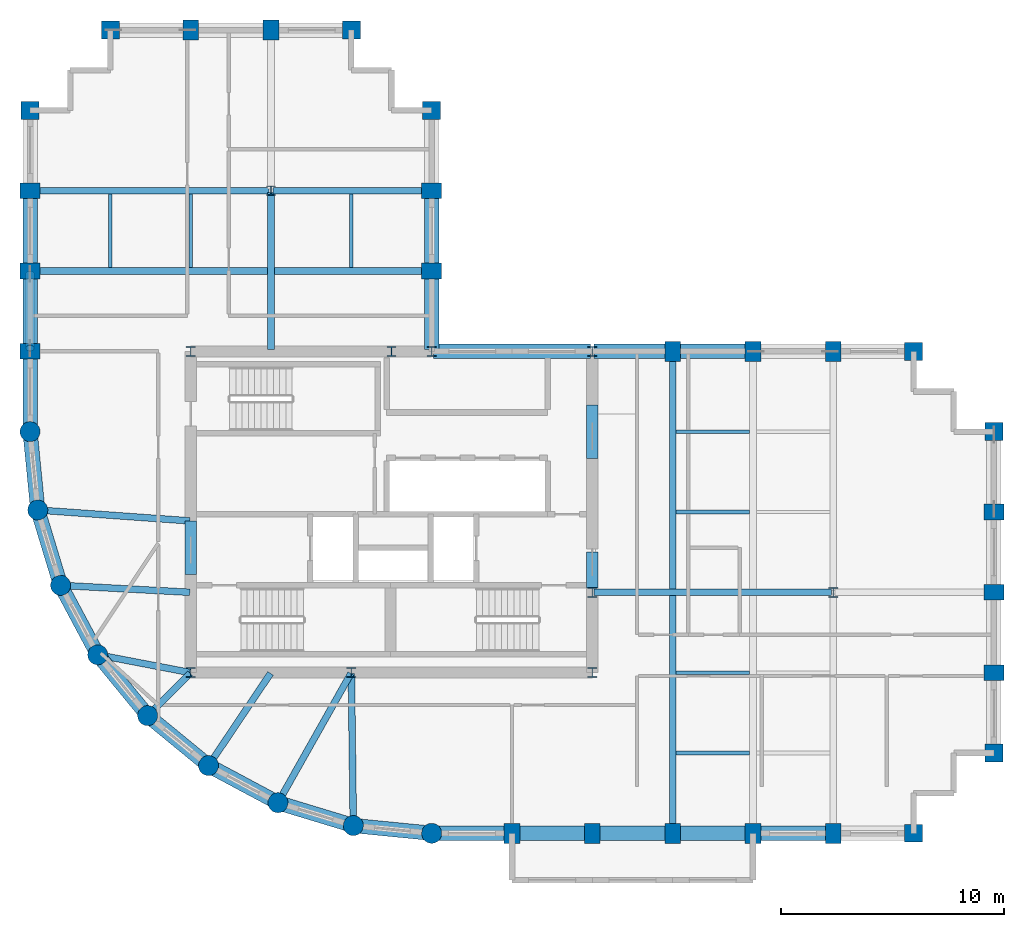
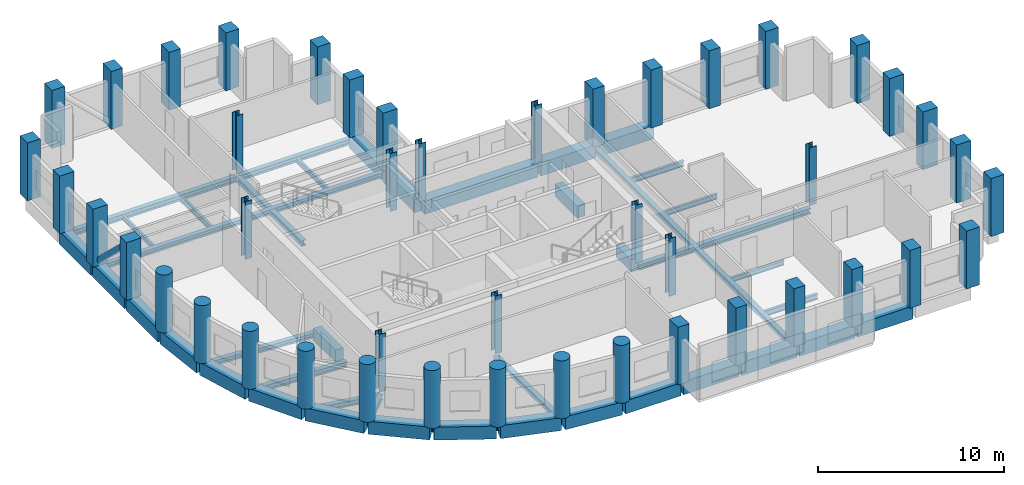
# One storey, part 1 of 7: 45 columns, 44 beams, 1 member.
"""IFC4 building model written with IfcOpenShell, lengths in metres."""

from ifc_helpers import new_model, si_unit, direction, frame, origin, origin_2d, place, context, subcontext, project, spatial, rectangle, circle, hollow_circle, i_section, extrude, material, material_profile, profile_set, type_object, element, save


model = new_model("IFC4")

# Units and contexts
model_context = context("Model", 3, precision=1e-05, world=origin(), true_north=direction((0.0, 1.0)))
body_context = subcontext(model_context, "Body", "Model", "MODEL_VIEW")
ifc_project = project(units=[si_unit("LENGTHUNIT", "METRE"), si_unit("AREAUNIT", "SQUARE_METRE"), si_unit("VOLUMEUNIT", "CUBIC_METRE"), si_unit("PLANEANGLEUNIT", "RADIAN"), si_unit("MASSUNIT", "GRAM", prefix="KILO")], contexts=[model_context])

# Site, building, storey
site_placement = place(None, origin())
site = spatial("IfcSite", under=ifc_project, at=site_placement, CompositionType="ELEMENT")
building_placement = place(site_placement, origin())
building = spatial("IfcBuilding", under=site, at=building_placement, Name="Solnavia Interchange Tower", CompositionType="ELEMENT")
storey_placement = place(building_placement, frame((0.0, 0.0, 201.39990234375)))
storey = spatial("IfcBuildingStorey", under=building, at=storey_placement, Name="L50", CompositionType="ELEMENT", Elevation=201.39990234375)

# Columns
ifc_material_1 = material(Name="Concrete C50/60", Category="concrete")
ifc_material_profile_1 = material_profile(ifc_material_1, rectangle(XDim=0.800048828125, YDim=0.800048828125, at=origin_2d()), Name="RC 800x800")
ifc_profile_set_1 = profile_set([ifc_material_profile_1], Name="Concrete C50/60")
column_type_1 = type_object("IfcColumnType", Name="Col-RC-800x800", PredefinedType="COLUMN", material=ifc_profile_set_1)
for number, where, z_axis, x_axis, name in (
    (1, (7.199951171875, 36.0, 0.0), (0.0, 0.0, 1.0), (0.0, 1.0, 0.0), "COL-L50-05 Tower corner column"),
    (2, (10.800048828125, 39.60009765625, 0.0), (0.0, 0.0, 1.0), (1.0, 0.0, 0.0), "COL-L50-09 Tower corner column"),
    (3, (21.60009765625, 39.60009765625, 0.0), (0.0, 0.0, 1.0), (1.0, 0.0, 0.0), "COL-L50-19 Tower corner column"),
    (4, (25.199951171875, 36.0, 0.0), (0.0, 0.0, 1.0), (0.0, 1.0, 0.0), "COL-L50-26 Tower corner column"),
    (5, (46.800048828125, 3.60009765625, 0.0), (0.0, 0.0, 1.0), (1.0, 0.0, 0.0), "COL-L50-39 Tower corner column"),
    (6, (46.800048828125, 25.199951171875, 0.0), (0.0, 0.0, 1.0), (1.0, 0.0, 0.0), "COL-L50-40 Tower corner column"),
    (7, (50.39990234375, 7.199951171875, 0.0), (0.0, 0.0, 1.0), (1.0, 0.0, 0.0), "COL-L50-41 Tower corner column"),
    (8, (50.39990234375, 21.60009765625, 0.0), (0.0, 0.0, 1.0), (0.0, 1.0, 0.0), "COL-L50-45 Tower corner column"),
):
    element("IfcColumn", number, at=place(storey_placement, frame(where, z_axis=z_axis, x_axis=x_axis)), inside=storey, type_object=column_type_1, Name=name, PredefinedType="COLUMN", context=body_context, shape_type="SweptSolid", body=[
        extrude(rectangle(XDim=0.800048828125, YDim=0.800048828125, at=origin_2d()), origin(), (0.0, 0.0, 1.0), 3.800048828125),
    ])
ifc_material_profile_2 = material_profile(ifc_material_1, rectangle(XDim=0.699951171875, YDim=0.89990234375, at=origin_2d()), Name="RC 900x700")
ifc_profile_set_2 = profile_set([ifc_material_profile_2], Name="Concrete C50/60")
column_type_2 = type_object("IfcColumnType", Name="Col-RC-900x700", PredefinedType="COLUMN", material=ifc_profile_set_2)
for number, where, z_axis, x_axis, name in (
    (9, (7.199951171875, 25.199951171875, 0.0), (0.0, 0.0, 1.0), (0.0, 1.0, 0.0), "COL-L50-02 Tower perim y column"),
    (10, (7.199951171875, 28.800048828125, 0.0), (0.0, 0.0, 1.0), (0.0, 1.0, 0.0), "COL-L50-03 Tower perim y column"),
    (11, (7.199951171875, 32.39990234375, 0.0), (0.0, 0.0, 1.0), (0.0, 1.0, 0.0), "COL-L50-04 Tower perim y column"),
    (12, (14.39990234375, 39.60009765625, 0.0), (0.0, 0.0, 1.0), (1.0, 0.0, 0.0), "COL-L50-13 Tower perim x column"),
    (13, (18.0, 39.60009765625, 0.0), (0.0, 0.0, 1.0), (1.0, 0.0, 0.0), "COL-L50-16 Tower perim x column"),
    (14, (25.199951171875, 28.800048828125, 0.0), (0.0, 0.0, 1.0), (0.0, 1.0, 0.0), "COL-L50-24 Tower perim y column"),
    (15, (25.199951171875, 32.39990234375, 0.0), (0.0, 0.0, 1.0), (0.0, 1.0, 0.0), "COL-L50-25 Tower perim y column"),
    (16, (28.800048828125, 3.60009765625, 0.0), (0.0, 0.0, 1.0), (1.0, 0.0, 0.0), "COL-L50-27 Tower perim x column"),
    (17, (32.39990234375, 3.60009765625, 0.0), (0.0, 0.0, 1.0), (1.0, 0.0, 0.0), "COL-L50-28 Tower perim x column"),
    (18, (36.0, 3.60009765625, 0.0), (0.0, 0.0, 1.0), (1.0, 0.0, 0.0), "COL-L50-32 Tower perim x column"),
    (19, (36.0, 25.199951171875, 0.0), (0.0, 0.0, 1.0), (1.0, 0.0, 0.0), "COL-L50-33 Tower perim x column"),
    (20, (39.60009765625, 3.60009765625, 0.0), (0.0, 0.0, 1.0), (1.0, 0.0, 0.0), "COL-L50-34 Tower perim x column"),
    (21, (39.60009765625, 25.199951171875, 0.0), (0.0, 0.0, 1.0), (1.0, 0.0, 0.0), "COL-L50-35 Tower perim x column"),
    (22, (43.199951171875, 3.60009765625, 0.0), (0.0, 0.0, 1.0), (1.0, 0.0, 0.0), "COL-L50-36 Tower perim x column"),
    (23, (43.199951171875, 25.199951171875, 0.0), (0.0, 0.0, 1.0), (1.0, 0.0, 0.0), "COL-L50-38 Tower perim x column"),
    (24, (50.39990234375, 10.800048828125, 0.0), (0.0, 0.0, 1.0), (0.0, 1.0, 0.0), "COL-L50-42 Tower perim y column"),
    (25, (50.39990234375, 14.39990234375, 0.0), (0.0, 0.0, 1.0), (0.0, 1.0, 0.0), "COL-L50-43 Tower perim y column"),
    (26, (50.39990234375, 18.0, 0.0), (0.0, 0.0, 1.0), (0.0, 1.0, 0.0), "COL-L50-44 Tower perim y column"),
):
    element("IfcColumn", number, at=place(storey_placement, frame(where, z_axis=z_axis, x_axis=x_axis)), inside=storey, type_object=column_type_2, Name=name, PredefinedType="COLUMN", context=body_context, shape_type="SweptSolid", body=[
        extrude(rectangle(XDim=0.699951171875, YDim=0.89990234375, at=origin_2d()), origin(), (0.0, 0.0, 1.0), 3.800048828125),
    ])
ifc_material_profile_3 = material_profile(ifc_material_1, circle(Radius=0.449951171875, at=origin_2d()), Name="RC D900")
ifc_profile_set_3 = profile_set([ifc_material_profile_3], Name="Concrete C50/60")
column_type_3 = type_object("IfcColumnType", Name="Col-RC-D900", PredefinedType="COLUMN", material=ifc_profile_set_3)
for number, where, z_axis, x_axis, name in (
    (27, (7.199951171875, 21.60009765625, 0.0), (0.0, 0.0, 1.0), (1.0, 0.0, 0.0), "COL-L50-01 Tower drum column"),
    (28, (7.5458984375, 18.087890625, 0.0), (0.0, 0.0, 1.0), (1.0, 0.0, 0.0), "COL-L50-06 Tower drum column"),
    (29, (8.570068359375, 14.7119140625, 0.0), (0.0, 0.0, 1.0), (1.0, 0.0, 0.0), "COL-L50-07 Tower drum column"),
    (30, (10.23388671875, 11.60009765625, 0.0), (0.0, 0.0, 1.0), (1.0, 0.0, 0.0), "COL-L50-08 Tower drum column"),
    (31, (12.471923828125, 8.8720703125, 0.0), (0.0, 0.0, 1.0), (1.0, 0.0, 0.0), "COL-L50-10 Tower drum column"),
    (32, (15.199951171875, 6.634033203125, 0.0), (0.0, 0.0, 1.0), (1.0, 0.0, 0.0), "COL-L50-14 Tower drum column"),
    (33, (18.31201171875, 4.969970703125, 0.0), (0.0, 0.0, 1.0), (1.0, 0.0, 0.0), "COL-L50-17 Tower drum column"),
    (34, (21.68798828125, 3.946044921875, 0.0), (0.0, 0.0, 1.0), (1.0, 0.0, 0.0), "COL-L50-20 Tower drum column"),
    (35, (25.199951171875, 3.60009765625, 0.0), (0.0, 0.0, 1.0), (1.0, 0.0, 0.0), "COL-L50-22 Tower drum column"),
):
    element("IfcColumn", number, at=place(storey_placement, frame(where, z_axis=z_axis, x_axis=x_axis)), inside=storey, type_object=column_type_3, Name=name, PredefinedType="COLUMN", context=body_context, shape_type="SweptSolid", body=[
        extrude(circle(Radius=0.449951171875, at=origin_2d()), origin(), (0.0, 0.0, 1.0), 3.800048828125),
    ])
ifc_material_2 = material(Name="Steel S355", Category="steel")
ifc_material_profile_4 = material_profile(ifc_material_2, i_section(OverallWidth=0.416015625, OverallDepth=0.44189453125, WebThickness=0.02490234375, FlangeThickness=0.041015625, FilletRadius=0.014892578125, at=origin_2d()), Name="HD 400x382")
ifc_profile_set_4 = profile_set([ifc_material_profile_4], Name="Steel S355")
column_type_4 = type_object("IfcColumnType", Name="Col-Steel-HD400x382", PredefinedType="COLUMN", material=ifc_profile_set_4)
for number, where, z_axis, x_axis, name in (
    (36, (14.39990234375, 10.800048828125, 0.0), (0.0, 0.0, 1.0), (1.0, 0.0, 0.0), "COL-L50-11 Tower interior column"),
    (37, (14.39990234375, 25.199951171875, 0.0), (0.0, 0.0, 1.0), (1.0, 0.0, 0.0), "COL-L50-12 Tower interior column"),
    (38, (18.0, 32.39990234375, 0.0), (0.0, 0.0, 1.0), (1.0, 0.0, 0.0), "COL-L50-15 Tower interior column"),
    (39, (21.60009765625, 10.800048828125, 0.0), (0.0, 0.0, 1.0), (1.0, 0.0, 0.0), "COL-L50-18 Tower interior column"),
    (40, (23.39990234375, 25.199951171875, 0.0), (0.0, 0.0, 1.0), (1.0, 0.0, 0.0), "COL-L50-21 Tower interior column"),
    (41, (25.199951171875, 25.199951171875, 0.0), (0.0, 0.0, 1.0), (1.0, 0.0, 0.0), "COL-L50-23 Tower interior column"),
    (42, (32.39990234375, 10.800048828125, 0.0), (0.0, 0.0, 1.0), (1.0, 0.0, 0.0), "COL-L50-29 Tower interior column"),
    (43, (32.39990234375, 14.39990234375, 0.0), (0.0, 0.0, 1.0), (1.0, 0.0, 0.0), "COL-L50-30 Tower interior column"),
    (44, (32.39990234375, 25.199951171875, 0.0), (0.0, 0.0, 1.0), (1.0, 0.0, 0.0), "COL-L50-31 Tower interior column"),
    (45, (43.199951171875, 14.39990234375, 0.0), (0.0, 0.0, 1.0), (1.0, 0.0, 0.0), "COL-L50-37 Tower interior column"),
):
    element("IfcColumn", number, at=place(storey_placement, frame(where, z_axis=z_axis, x_axis=x_axis)), inside=storey, type_object=column_type_4, Name=name, PredefinedType="COLUMN", context=body_context, shape_type="SweptSolid", body=[
        extrude(i_section(OverallWidth=0.416015625, OverallDepth=0.44189453125, WebThickness=0.02490234375, FlangeThickness=0.041015625, FilletRadius=0.014892578125, at=origin_2d()), origin(), (0.0, 0.0, 1.0), 3.800048828125),
    ])

# Beams
ifc_material_profile_5 = material_profile(ifc_material_1, rectangle(XDim=0.5, YDim=0.800048828125, at=origin_2d()), Name="RC 500x800")
ifc_profile_set_5 = profile_set([ifc_material_profile_5], Name="Concrete C50/60")
beam_type_1 = type_object("IfcBeamType", Name="Beam-Coupling-RC500x800", PredefinedType="LINTEL", material=ifc_profile_set_5)
beam_1_placement = place(storey_placement, frame((14.39990234375, 15.199951171875, -0.39990234375), z_axis=(0.0, 1.0, 0.0), x_axis=(-1.0, 0.0, 0.0)))
element("IfcBeam", 46, at=beam_1_placement, inside=storey, type_object=beam_type_1, Name="CPB-L50-W1 Core coupling lintel beam", PredefinedType="LINTEL", context=body_context, shape_type="SweptSolid", body=[
    extrude(rectangle(XDim=0.5, YDim=0.800048828125, at=origin_2d()), origin(), (0.0, 0.0, 1.0), 2.400146484375),
])
beam_2_placement = place(storey_placement, frame((32.39990234375, 14.60009765625, -0.39990234375), z_axis=(0.0, 1.0, 0.0), x_axis=(-1.0, 0.0, 0.0)))
element("IfcBeam", 47, at=beam_2_placement, inside=storey, type_object=beam_type_1, Name="CPB-L50-E1 Core coupling lintel beam", PredefinedType="LINTEL", context=body_context, shape_type="SweptSolid", body=[
    extrude(rectangle(XDim=0.5, YDim=0.800048828125, at=origin_2d()), origin(), (0.0, 0.0, 1.0), 1.599853515625),
])
beam_3_placement = place(storey_placement, frame((32.39990234375, 20.39990234375, -0.39990234375), z_axis=(0.0, 1.0, 0.0), x_axis=(-1.0, 0.0, 0.0)))
element("IfcBeam", 48, at=beam_3_placement, inside=storey, type_object=beam_type_1, Name="CPB-L50-E2 Core coupling lintel beam", PredefinedType="LINTEL", context=body_context, shape_type="SweptSolid", body=[
    extrude(rectangle(XDim=0.5, YDim=0.800048828125, at=origin_2d()), origin(), (0.0, 0.0, 1.0), 2.400146484375),
])
ifc_material_3 = material(Name="Steel S460", Category="steel")
ifc_material_profile_6 = material_profile(ifc_material_3, i_section(OverallWidth=0.300048828125, OverallDepth=0.360107421875, WebThickness=0.012451171875, FlangeThickness=0.0224609375, FilletRadius=0.027099609375, at=origin_2d()), Name="HEB 360")
ifc_profile_set_6 = profile_set([ifc_material_profile_6], Name="Steel S460")
beam_type_2 = type_object("IfcBeamType", Name="Beam-Girder-HEB360", PredefinedType="BEAM", material=ifc_profile_set_6)
beam_4_placement = place(storey_placement, frame((32.47998046875, 14.39990234375, -0.429931640625), z_axis=(1.0, 0.0, 0.0), x_axis=(0.0, 1.0, 0.0)))
element("IfcBeam", 49, at=beam_4_placement, inside=storey, type_object=beam_type_2, Name="GRD-L50-ES01 East wing spine girder", PredefinedType="BEAM", context=body_context, shape_type="SweptSolid", body=[
    extrude(i_section(OverallWidth=0.300048828125, OverallDepth=0.360107421875, WebThickness=0.012451171875, FlangeThickness=0.0224609375, FilletRadius=0.027099609375, at=origin_2d()), origin(), (0.0, 0.0, 1.0), 10.64013671875),
])
beam_5_placement = place(storey_placement, frame((18.0, 25.280029296875, -0.429931640625), z_axis=(0.0, 1.0, 0.0), x_axis=(-1.0, 0.0, 0.0)))
element("IfcBeam", 50, at=beam_5_placement, inside=storey, type_object=beam_type_2, Name="GRD-L50-NS07 North wing spine girder", PredefinedType="BEAM", context=body_context, shape_type="SweptSolid", body=[
    extrude(i_section(OverallWidth=0.300048828125, OverallDepth=0.360107421875, WebThickness=0.012451171875, FlangeThickness=0.0224609375, FilletRadius=0.027099609375, at=origin_2d()), origin(), (0.0, 0.0, 1.0), 7.0400390625),
])
beam_6_placement = place(storey_placement, frame((7.280029296875, 32.39990234375, -0.429931640625), z_axis=(1.0, 0.0, 0.0), x_axis=(0.0, 1.0, 0.0)))
element("IfcBeam", 51, at=beam_6_placement, inside=storey, type_object=beam_type_2, Name="GRD-L50-NW10 North wing primary floor girder", PredefinedType="BEAM", context=body_context, shape_type="SweptSolid", body=[
    extrude(i_section(OverallWidth=0.300048828125, OverallDepth=0.360107421875, WebThickness=0.012451171875, FlangeThickness=0.0224609375, FilletRadius=0.027099609375, at=origin_2d()), origin(), (0.0, 0.0, 1.0), 10.639892578125),
])
beam_7_placement = place(storey_placement, frame((18.080078125, 32.39990234375, -0.429931640625), z_axis=(1.0, 0.0, 0.0), x_axis=(0.0, 1.0, 0.0)))
element("IfcBeam", 52, at=beam_7_placement, inside=storey, type_object=beam_type_2, Name="GRD-L50-NW11 North wing primary floor girder", PredefinedType="BEAM", context=body_context, shape_type="SweptSolid", body=[
    extrude(i_section(OverallWidth=0.300048828125, OverallDepth=0.360107421875, WebThickness=0.012451171875, FlangeThickness=0.0224609375, FilletRadius=0.027099609375, at=origin_2d()), origin(), (0.0, 0.0, 1.0), 7.0400390625),
])
beam_8_placement = place(storey_placement, frame((8.64990234375, 14.707763671875, -0.429931640625), z_axis=(0.998570371303, -0.053452909696, 0.0), x_axis=(0.053452909696, 0.998570371303, 0.0)))
element("IfcBeam", 53, at=beam_8_placement, inside=storey, type_object=beam_type_2, Name="GRD-L50-DR13 Drum radial floor girder", PredefinedType="BEAM", context=body_context, shape_type="SweptSolid", body=[
    extrude(i_section(OverallWidth=0.300048828125, OverallDepth=0.360107421875, WebThickness=0.012451171875, FlangeThickness=0.0224609375, FilletRadius=0.027099609375, at=origin_2d()), origin(), (0.0, 0.0, 1.0), 5.71826171875),
])
beam_9_placement = place(storey_placement, frame((15.24462890625, 6.700439453125, -0.429931640625), z_axis=(0.557835474219, 0.829951555033, 0.0), x_axis=(-0.829951555033, 0.557835474219, 0.0)))
element("IfcBeam", 54, at=beam_9_placement, inside=storey, type_object=beam_type_2, Name="GRD-L50-DR16 Drum radial floor girder", PredefinedType="BEAM", context=body_context, shape_type="SweptSolid", body=[
    extrude(i_section(OverallWidth=0.300048828125, OverallDepth=0.360107421875, WebThickness=0.012451171875, FlangeThickness=0.0224609375, FilletRadius=0.027099609375, at=origin_2d()), origin(), (0.0, 0.0, 1.0), 4.899658203125),
])
ifc_material_profile_7 = material_profile(ifc_material_2, i_section(OverallWidth=0.14990234375, OverallDepth=0.300048828125, WebThickness=0.007080078125, FlangeThickness=0.0107421875, FilletRadius=0.014892578125, at=origin_2d()), Name="IPE 300")
ifc_profile_set_7 = profile_set([ifc_material_profile_7], Name="Steel S355")
beam_type_3 = type_object("IfcBeamType", Name="Beam-Joist-IPE300", PredefinedType="JOIST", material=ifc_profile_set_7)
for number, where, z_axis, x_axis, name in (
    (55, (36.14990234375, 10.800048828125, -0.39990234375), (1.0, 0.0, 0.0), (0.0, 1.0, 0.0), "JST-L50-E03 East wing secondary joist"),
    (56, (10.800048828125, 28.949951171875, -0.39990234375), (0.0, 1.0, 0.0), (-1.0, 0.0, 0.0), "JST-L50-N09 North wing secondary joist"),
):
    element("IfcBeam", number, at=place(storey_placement, frame(where, z_axis=z_axis, x_axis=x_axis)), inside=storey, type_object=beam_type_3, Name=name, PredefinedType="JOIST", context=body_context, shape_type="SweptSolid", body=[
        extrude(i_section(OverallWidth=0.14990234375, OverallDepth=0.300048828125, WebThickness=0.007080078125, FlangeThickness=0.0107421875, FilletRadius=0.014892578125, at=origin_2d()), origin(), (0.0, 0.0, 1.0), 3.300048828125),
    ])
ifc_material_profile_8 = material_profile(ifc_material_2, i_section(OverallWidth=0.159912109375, OverallDepth=0.330078125, WebThickness=0.007568359375, FlangeThickness=0.011474609375, FilletRadius=0.01806640625, at=origin_2d()), Name="IPE 330")
ifc_profile_set_8 = profile_set([ifc_material_profile_8], Name="Steel S355")
beam_type_4 = type_object("IfcBeamType", Name="Beam-Joist-IPE330", PredefinedType="JOIST", material=ifc_profile_set_8)
for number, where, z_axis, x_axis, name in (
    (57, (36.14990234375, 18.0, -0.414794921875), (1.0, 0.0, 0.0), (0.0, 1.0, 0.0), "JST-L50-E05 East wing secondary joist"),
    (58, (21.60009765625, 28.949951171875, -0.414794921875), (0.0, 1.0, 0.0), (-1.0, 0.0, 0.0), "JST-L50-N11 North wing secondary joist"),
):
    element("IfcBeam", number, at=place(storey_placement, frame(where, z_axis=z_axis, x_axis=x_axis)), inside=storey, type_object=beam_type_4, Name=name, PredefinedType="JOIST", context=body_context, shape_type="SweptSolid", body=[
        extrude(i_section(OverallWidth=0.159912109375, OverallDepth=0.330078125, WebThickness=0.007568359375, FlangeThickness=0.011474609375, FilletRadius=0.01806640625, at=origin_2d()), origin(), (0.0, 0.0, 1.0), 3.300048828125),
    ])
ifc_material_profile_9 = material_profile(ifc_material_2, i_section(OverallWidth=0.169921875, OverallDepth=0.360107421875, WebThickness=0.008056640625, FlangeThickness=0.0126953125, FilletRadius=0.01806640625, at=origin_2d()), Name="IPE 360")
ifc_profile_set_9 = profile_set([ifc_material_profile_9], Name="Steel S355")
beam_type_5 = type_object("IfcBeamType", Name="Beam-Joist-IPE360", PredefinedType="JOIST", material=ifc_profile_set_9)
for number, where, z_axis, x_axis, name in (
    (59, (36.14990234375, 7.199951171875, -0.429931640625), (1.0, 0.0, 0.0), (0.0, 1.0, 0.0), "JST-L50-E01 East wing secondary joist"),
    (60, (36.14990234375, 21.60009765625, -0.429931640625), (1.0, 0.0, 0.0), (0.0, 1.0, 0.0), "JST-L50-E07 East wing secondary joist"),
    (61, (14.39990234375, 28.949951171875, -0.429931640625), (0.0, 1.0, 0.0), (-1.0, 0.0, 0.0), "JST-L50-N10 North wing secondary joist"),
):
    element("IfcBeam", number, at=place(storey_placement, frame(where, z_axis=z_axis, x_axis=x_axis)), inside=storey, type_object=beam_type_5, Name=name, PredefinedType="JOIST", context=body_context, shape_type="SweptSolid", body=[
        extrude(i_section(OverallWidth=0.169921875, OverallDepth=0.360107421875, WebThickness=0.008056640625, FlangeThickness=0.0126953125, FilletRadius=0.01806640625, at=origin_2d()), origin(), (0.0, 0.0, 1.0), 3.300048828125),
    ])
ifc_material_profile_10 = material_profile(ifc_material_2, i_section(OverallWidth=0.300048828125, OverallDepth=0.31005859375, WebThickness=0.009033203125, FlangeThickness=0.015380859375, FilletRadius=0.027099609375, at=origin_2d()), Name="HEA 320")
ifc_profile_set_10 = profile_set([ifc_material_profile_10], Name="Steel S355")
beam_type_6 = type_object("IfcBeamType", Name="Beam-Primary-HEA320", PredefinedType="BEAM", material=ifc_profile_set_10)
beam_10_placement = place(storey_placement, frame((36.0, 3.679931640625, -0.40478515625), z_axis=(0.0, 1.0, 0.0), x_axis=(-1.0, 0.0, 0.0)))
element("IfcBeam", 62, at=beam_10_placement, inside=storey, type_object=beam_type_6, Name="GRD-L50-EW03 East wing primary floor girder", PredefinedType="BEAM", context=body_context, shape_type="SweptSolid", body=[
    extrude(i_section(OverallWidth=0.300048828125, OverallDepth=0.31005859375, WebThickness=0.009033203125, FlangeThickness=0.015380859375, FilletRadius=0.027099609375, at=origin_2d()), origin(), (0.0, 0.0, 1.0), 21.440185546875),
])
beam_11_placement = place(storey_placement, frame((7.280029296875, 28.800048828125, -0.40478515625), z_axis=(1.0, 0.0, 0.0), x_axis=(0.0, 1.0, 0.0)))
element("IfcBeam", 63, at=beam_11_placement, inside=storey, type_object=beam_type_6, Name="GRD-L50-NW09 North wing primary floor girder", PredefinedType="BEAM", context=body_context, shape_type="SweptSolid", body=[
    extrude(i_section(OverallWidth=0.300048828125, OverallDepth=0.31005859375, WebThickness=0.009033203125, FlangeThickness=0.015380859375, FilletRadius=0.027099609375, at=origin_2d()), origin(), (0.0, 0.0, 1.0), 17.840087890625),
])
beam_12_placement = place(storey_placement, frame((7.625732421875, 18.082275390625, -0.40478515625), z_axis=(0.99747482749, -0.071020902015, 0.0), x_axis=(0.071020902015, 0.99747482749, 0.0)))
element("IfcBeam", 64, at=beam_12_placement, inside=storey, type_object=beam_type_6, Name="GRD-L50-DR12 Drum radial floor girder", PredefinedType="BEAM", context=body_context, shape_type="SweptSolid", body=[
    extrude(i_section(OverallWidth=0.300048828125, OverallDepth=0.31005859375, WebThickness=0.009033203125, FlangeThickness=0.015380859375, FilletRadius=0.027099609375, at=origin_2d()), origin(), (0.0, 0.0, 1.0), 6.75146484375),
])
beam_13_placement = place(storey_placement, frame((12.528564453125, 8.9287109375, -0.40478515625), z_axis=(0.707106781187, 0.707106781187, 0.0), x_axis=(-0.707106781187, 0.707106781187, 0.0)))
element("IfcBeam", 65, at=beam_13_placement, inside=storey, type_object=beam_type_6, Name="GRD-L50-DR15 Drum radial floor girder", PredefinedType="BEAM", context=body_context, shape_type="SweptSolid", body=[
    extrude(i_section(OverallWidth=0.300048828125, OverallDepth=0.31005859375, WebThickness=0.009033203125, FlangeThickness=0.015380859375, FilletRadius=0.027099609375, at=origin_2d()), origin(), (0.0, 0.0, 1.0), 2.6064453125),
])
beam_14_placement = place(storey_placement, frame((21.68701171875, 4.02587890625, -0.40478515625), z_axis=(-0.01283293513, 0.999917654498, 0.0), x_axis=(-0.999917654498, -0.01283293513, 0.0)))
element("IfcBeam", 66, at=beam_14_placement, inside=storey, type_object=beam_type_6, Name="GRD-L50-DR18 Drum radial floor girder", PredefinedType="BEAM", context=body_context, shape_type="SweptSolid", body=[
    extrude(i_section(OverallWidth=0.300048828125, OverallDepth=0.31005859375, WebThickness=0.009033203125, FlangeThickness=0.015380859375, FilletRadius=0.027099609375, at=origin_2d()), origin(), (0.0, 0.0, 1.0), 6.734619140625),
])
ifc_material_profile_11 = material_profile(ifc_material_2, i_section(OverallWidth=0.300048828125, OverallDepth=0.35009765625, WebThickness=0.010009765625, FlangeThickness=0.017578125, FilletRadius=0.027099609375, at=origin_2d()), Name="HEA 360")
ifc_profile_set_11 = profile_set([ifc_material_profile_11], Name="Steel S355")
beam_type_7 = type_object("IfcBeamType", Name="Beam-Primary-HEA360", PredefinedType="BEAM", material=ifc_profile_set_11)
beam_15_placement = place(storey_placement, frame((10.3125, 11.5849609375, -0.4248046875), z_axis=(0.982057527796, -0.188581579428, 0.0), x_axis=(0.188581579428, 0.982057527796, 0.0)))
element("IfcBeam", 67, at=beam_15_placement, inside=storey, type_object=beam_type_7, Name="GRD-L50-DR14 Drum radial floor girder", PredefinedType="BEAM", context=body_context, shape_type="SweptSolid", body=[
    extrude(i_section(OverallWidth=0.300048828125, OverallDepth=0.35009765625, WebThickness=0.010009765625, FlangeThickness=0.017578125, FilletRadius=0.027099609375, at=origin_2d()), origin(), (0.0, 0.0, 1.0), 4.1220703125),
])
beam_16_placement = place(storey_placement, frame((18.351318359375, 5.039794921875, -0.4248046875), z_axis=(0.491243158486, 0.871022479182, 0.0), x_axis=(-0.871022479182, 0.491243158486, 0.0)))
element("IfcBeam", 68, at=beam_16_placement, inside=storey, type_object=beam_type_7, Name="GRD-L50-DR17 Drum radial floor girder", PredefinedType="BEAM", context=body_context, shape_type="SweptSolid", body=[
    extrude(i_section(OverallWidth=0.300048828125, OverallDepth=0.35009765625, WebThickness=0.010009765625, FlangeThickness=0.017578125, FilletRadius=0.027099609375, at=origin_2d()), origin(), (0.0, 0.0, 1.0), 6.5732421875),
])
ifc_material_profile_12 = material_profile(ifc_material_1, rectangle(XDim=0.64990234375, YDim=0.85009765625, at=origin_2d()), Name="RC 650x850")
ifc_profile_set_12 = profile_set([ifc_material_profile_12], Name="Concrete C50/60")
beam_type_8 = type_object("IfcBeamType", Name="Beam-Spandrel-RC650x850", PredefinedType="SPANDREL", material=ifc_profile_set_12)
beam_17_placement = place(storey_placement, frame((7.207763671875, 21.5205078125, -0.4248046875), z_axis=(0.098040038117, -0.995182471171, 0.0), x_axis=(0.995182471171, 0.098040038117, 0.0)))
element("IfcBeam", 69, at=beam_17_placement, inside=storey, type_object=beam_type_8, Name="SPB-L50-01 Framed-tube perimeter spandrel beam", PredefinedType="SPANDREL", context=body_context, shape_type="SweptSolid", body=[
    extrude(rectangle(XDim=0.64990234375, YDim=0.85009765625, at=origin_2d()), origin(), (0.0, 0.0, 1.0), 3.369140625),
])
beam_18_placement = place(storey_placement, frame((7.569091796875, 18.011474609375, -0.4248046875), z_axis=(0.290319223646, -0.956929855518, 0.0), x_axis=(0.956929855518, 0.290319223646, 0.0)))
element("IfcBeam", 70, at=beam_18_placement, inside=storey, type_object=beam_type_8, Name="SPB-L50-02 Framed-tube perimeter spandrel beam", PredefinedType="SPANDREL", context=body_context, shape_type="SweptSolid", body=[
    extrude(rectangle(XDim=0.64990234375, YDim=0.85009765625, at=origin_2d()), origin(), (0.0, 0.0, 1.0), 3.367919921875),
])
beam_19_placement = place(storey_placement, frame((8.607666015625, 14.6416015625, -0.4248046875), z_axis=(0.471509422952, -0.881861023102, 0.0), x_axis=(0.881861023102, 0.471509422952, 0.0)))
element("IfcBeam", 71, at=beam_19_placement, inside=storey, type_object=beam_type_8, Name="SPB-L50-03 Framed-tube perimeter spandrel beam", PredefinedType="SPANDREL", context=body_context, shape_type="SweptSolid", body=[
    extrude(rectangle(XDim=0.64990234375, YDim=0.85009765625, at=origin_2d()), origin(), (0.0, 0.0, 1.0), 3.369140625),
])
for number, where, z_axis, x_axis, name in (
    (72, (10.28466796875, 11.5380859375, -0.4248046875), (0.634298841675, -0.773087950656, 0.0), (0.773087950656, 0.634298841675, 0.0), "SPB-L50-04 Framed-tube perimeter spandrel beam"),
    (73, (12.53369140625, 8.8212890625, -0.4248046875), (0.773152644452, -0.634219984214, 0.0), (0.634219984214, 0.773152644452, 0.0), "SPB-L50-05 Framed-tube perimeter spandrel beam"),
):
    element("IfcBeam", number, at=place(storey_placement, frame(where, z_axis=z_axis, x_axis=x_axis)), inside=storey, type_object=beam_type_8, Name=name, PredefinedType="SPANDREL", context=body_context, shape_type="SweptSolid", body=[
        extrude(rectangle(XDim=0.64990234375, YDim=0.85009765625, at=origin_2d()), origin(), (0.0, 0.0, 1.0), 3.36865234375),
    ])
beam_20_placement = place(storey_placement, frame((15.2705078125, 6.59619140625, -0.4248046875), z_axis=(0.881875044348, -0.47148319817, 0.0), x_axis=(0.47148319817, 0.881875044348, 0.0)))
element("IfcBeam", 74, at=beam_20_placement, inside=storey, type_object=beam_type_8, Name="SPB-L50-06 Framed-tube perimeter spandrel beam", PredefinedType="SPANDREL", context=body_context, shape_type="SweptSolid", body=[
    extrude(rectangle(XDim=0.64990234375, YDim=0.85009765625, at=origin_2d()), origin(), (0.0, 0.0, 1.0), 3.368896484375),
])
beam_21_placement = place(storey_placement, frame((18.388671875, 4.94677734375, -0.4248046875), z_axis=(0.956943884494, -0.290272978297, 0.0), x_axis=(0.290272978297, 0.956943884494, 0.0)))
element("IfcBeam", 75, at=beam_21_placement, inside=storey, type_object=beam_type_8, Name="SPB-L50-07 Framed-tube perimeter spandrel beam", PredefinedType="SPANDREL", context=body_context, shape_type="SweptSolid", body=[
    extrude(rectangle(XDim=0.64990234375, YDim=0.85009765625, at=origin_2d()), origin(), (0.0, 0.0, 1.0), 3.36767578125),
])
beam_22_placement = place(storey_placement, frame((21.767578125, 3.938232421875, -0.4248046875), z_axis=(0.995181774609, -0.098047108501, 0.0), x_axis=(0.098047108501, 0.995181774609, 0.0)))
element("IfcBeam", 76, at=beam_22_placement, inside=storey, type_object=beam_type_8, Name="SPB-L50-08 Framed-tube perimeter spandrel beam", PredefinedType="SPANDREL", context=body_context, shape_type="SweptSolid", body=[
    extrude(rectangle(XDim=0.64990234375, YDim=0.85009765625, at=origin_2d()), origin(), (0.0, 0.0, 1.0), 3.368896484375),
])
beam_23_placement = place(storey_placement, frame((25.280029296875, 3.60009765625, -0.4248046875), z_axis=(1.0, 0.0, 0.0), x_axis=(0.0, 1.0, 0.0)))
element("IfcBeam", 77, at=beam_23_placement, inside=storey, type_object=beam_type_8, Name="SPB-L50-09 Framed-tube perimeter spandrel beam", PredefinedType="SPANDREL", context=body_context, shape_type="SweptSolid", body=[
    extrude(rectangle(XDim=0.64990234375, YDim=0.85009765625, at=origin_2d()), origin(), (0.0, 0.0, 1.0), 3.43994140625),
])
beam_24_placement = place(storey_placement, frame((28.8798828125, 3.60009765625, -0.4248046875), z_axis=(1.0, 0.0, 0.0), x_axis=(0.0, 1.0, 0.0)))
element("IfcBeam", 78, at=beam_24_placement, inside=storey, type_object=beam_type_8, Name="SPB-L50-10 Framed-tube perimeter spandrel beam", PredefinedType="SPANDREL", context=body_context, shape_type="SweptSolid", body=[
    extrude(rectangle(XDim=0.64990234375, YDim=0.85009765625, at=origin_2d()), origin(), (0.0, 0.0, 1.0), 3.440185546875),
])
for number, where, z_axis, x_axis, name in (
    (79, (32.47998046875, 3.60009765625, -0.4248046875), (1.0, 0.0, 0.0), (0.0, 1.0, 0.0), "SPB-L50-11 Framed-tube perimeter spandrel beam"),
    (80, (36.080078125, 3.60009765625, -0.4248046875), (1.0, 0.0, 0.0), (0.0, 1.0, 0.0), "SPB-L50-12 Framed-tube perimeter spandrel beam"),
):
    element("IfcBeam", number, at=place(storey_placement, frame(where, z_axis=z_axis, x_axis=x_axis)), inside=storey, type_object=beam_type_8, Name=name, PredefinedType="SPANDREL", context=body_context, shape_type="SweptSolid", body=[
        extrude(rectangle(XDim=0.64990234375, YDim=0.85009765625, at=origin_2d()), origin(), (0.0, 0.0, 1.0), 3.43994140625),
    ])
beam_25_placement = place(storey_placement, frame((39.679931640625, 3.60009765625, -0.4248046875), z_axis=(1.0, 0.0, 0.0), x_axis=(0.0, 1.0, 0.0)))
element("IfcBeam", 81, at=beam_25_placement, inside=storey, type_object=beam_type_8, Name="SPB-L50-13 Framed-tube perimeter spandrel beam", PredefinedType="SPANDREL", context=body_context, shape_type="SweptSolid", body=[
    extrude(rectangle(XDim=0.64990234375, YDim=0.85009765625, at=origin_2d()), origin(), (0.0, 0.0, 1.0), 3.440185546875),
])
for number, where, z_axis, x_axis, name in (
    (82, (39.52001953125, 25.199951171875, -0.4248046875), (-1.0, 0.0, 0.0), (0.0, -1.0, 0.0), "SPB-L50-21 Framed-tube perimeter spandrel beam"),
    (83, (35.919921875, 25.199951171875, -0.4248046875), (-1.0, 0.0, 0.0), (0.0, -1.0, 0.0), "SPB-L50-22 Framed-tube perimeter spandrel beam"),
):
    element("IfcBeam", number, at=place(storey_placement, frame(where, z_axis=z_axis, x_axis=x_axis)), inside=storey, type_object=beam_type_8, Name=name, PredefinedType="SPANDREL", context=body_context, shape_type="SweptSolid", body=[
        extrude(rectangle(XDim=0.64990234375, YDim=0.85009765625, at=origin_2d()), origin(), (0.0, 0.0, 1.0), 3.43994140625),
    ])
beam_26_placement = place(storey_placement, frame((32.320068359375, 25.199951171875, -0.4248046875), z_axis=(-1.0, 0.0, 0.0), x_axis=(0.0, -1.0, 0.0)))
element("IfcBeam", 84, at=beam_26_placement, inside=storey, type_object=beam_type_8, Name="SPB-L50-23 Framed-tube perimeter spandrel beam", PredefinedType="SPANDREL", context=body_context, shape_type="SweptSolid", body=[
    extrude(rectangle(XDim=0.64990234375, YDim=0.85009765625, at=origin_2d()), origin(), (0.0, 0.0, 1.0), 7.0400390625),
])
beam_27_placement = place(storey_placement, frame((25.199951171875, 25.280029296875, -0.4248046875), z_axis=(0.0, 1.0, 0.0), x_axis=(-1.0, 0.0, 0.0)))
element("IfcBeam", 85, at=beam_27_placement, inside=storey, type_object=beam_type_8, Name="SPB-L50-24 Framed-tube perimeter spandrel beam", PredefinedType="SPANDREL", context=body_context, shape_type="SweptSolid", body=[
    extrude(rectangle(XDim=0.64990234375, YDim=0.85009765625, at=origin_2d()), origin(), (0.0, 0.0, 1.0), 3.43994140625),
])
for number, where, z_axis, x_axis, name in (
    (86, (25.199951171875, 28.8798828125, -0.4248046875), (0.0, 1.0, 0.0), (-1.0, 0.0, 0.0), "SPB-L50-25 Framed-tube perimeter spandrel beam"),
    (87, (7.199951171875, 32.320068359375, -0.4248046875), (0.0, -1.0, 0.0), (1.0, 0.0, 0.0), "SPB-L50-31 Framed-tube perimeter spandrel beam"),
):
    element("IfcBeam", number, at=place(storey_placement, frame(where, z_axis=z_axis, x_axis=x_axis)), inside=storey, type_object=beam_type_8, Name=name, PredefinedType="SPANDREL", context=body_context, shape_type="SweptSolid", body=[
        extrude(rectangle(XDim=0.64990234375, YDim=0.85009765625, at=origin_2d()), origin(), (0.0, 0.0, 1.0), 3.440185546875),
    ])
beam_28_placement = place(storey_placement, frame((7.199951171875, 28.719970703125, -0.4248046875), z_axis=(0.0, -1.0, 0.0), x_axis=(1.0, 0.0, 0.0)))
element("IfcBeam", 88, at=beam_28_placement, inside=storey, type_object=beam_type_8, Name="SPB-L50-32 Framed-tube perimeter spandrel beam", PredefinedType="SPANDREL", context=body_context, shape_type="SweptSolid", body=[
    extrude(rectangle(XDim=0.64990234375, YDim=0.85009765625, at=origin_2d()), origin(), (0.0, 0.0, 1.0), 3.43994140625),
])
beam_29_placement = place(storey_placement, frame((7.199951171875, 25.1201171875, -0.4248046875), z_axis=(0.0, -1.0, 0.0), x_axis=(1.0, 0.0, 0.0)))
element("IfcBeam", 89, at=beam_29_placement, inside=storey, type_object=beam_type_8, Name="SPB-L50-33 Framed-tube perimeter spandrel beam", PredefinedType="SPANDREL", context=body_context, shape_type="SweptSolid", body=[
    extrude(rectangle(XDim=0.64990234375, YDim=0.85009765625, at=origin_2d()), origin(), (0.0, 0.0, 1.0), 3.440185546875),
])

# Member
ifc_material_profile_13 = material_profile(ifc_material_3, hollow_circle(Radius=0.203125, WallThickness=0.02001953125, at=origin_2d()), Name="CHS 406.4x20")
ifc_profile_set_13 = profile_set([ifc_material_profile_13], Name="Steel S460")
member_type = type_object("IfcMemberType", Name="Brace-Perim-CHS406", PredefinedType="BRACE", material=ifc_profile_set_13)
member_placement = place(storey_placement, frame((7.199951171875, 28.659912109375, 0.18017578125), z_axis=(0.0, -0.721071463745, 0.69286069608), x_axis=(1.0, 0.0, 0.0)))
element("IfcMember", 90, at=member_placement, inside=storey, type_object=member_type, Name="BRC-L50-01 Perimeter tube diagonal brace", PredefinedType="BRACE", context=body_context, shape_type="SweptSolid", body=[
    extrude(hollow_circle(Radius=0.203125, WallThickness=0.02001953125, at=origin_2d()), origin(), (0.0, 0.0, 1.0), 4.60400390625),
])

save(model, "model.ifc")
